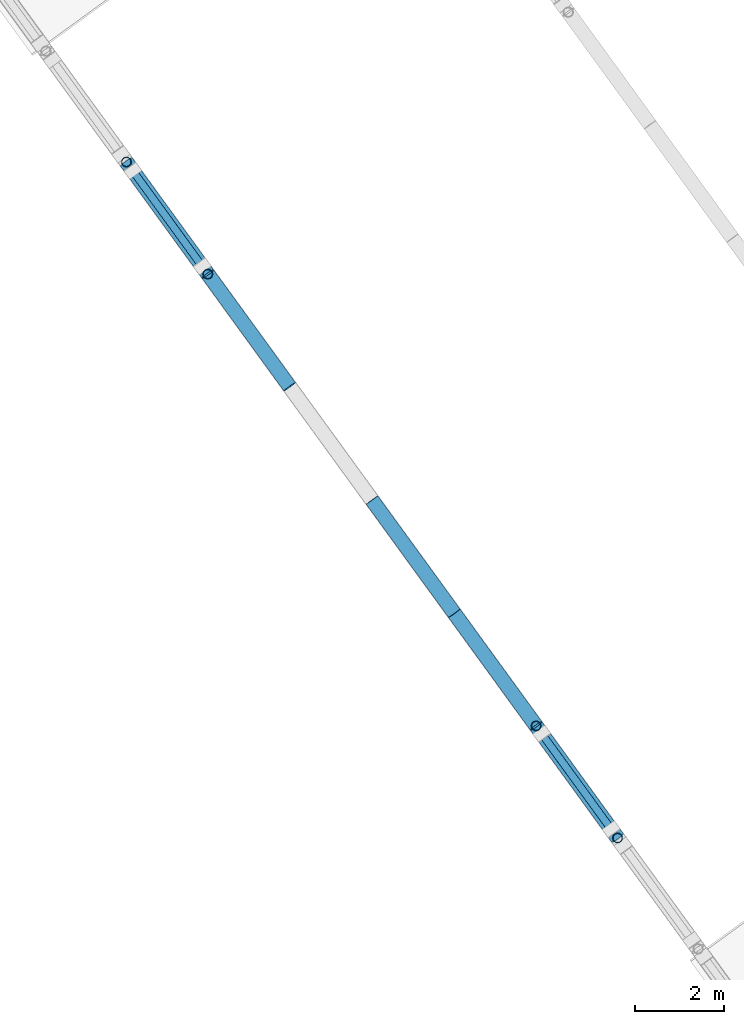
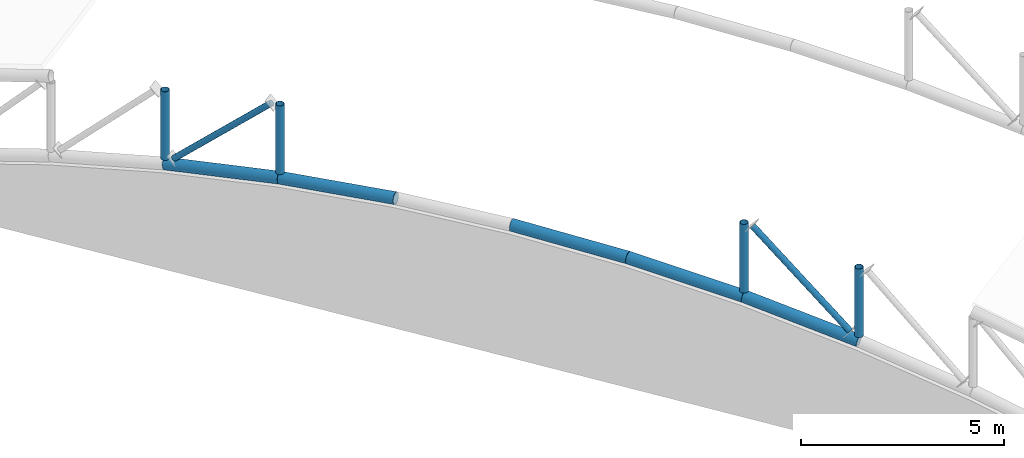
# One storey, part 15 of 69: 11 members.
"""IFC4 building model written with IfcOpenShell, lengths in metres."""

from ifc_helpers import new_model, si_unit, direction, frame, origin, origin_2d, place, context, subcontext, project, spatial, hollow_circle, extrude, material, material_profile, profile_set, type_object, element, save


model = new_model("IFC4")

# Units and contexts
model_context = context("Model", 3, precision=1e-05, world=origin(), true_north=direction((0.0, 1.0)))
body_context = subcontext(model_context, "Body", "Model", "MODEL_VIEW")
ifc_project = project(units=[si_unit("LENGTHUNIT", "METRE"), si_unit("AREAUNIT", "SQUARE_METRE"), si_unit("VOLUMEUNIT", "CUBIC_METRE"), si_unit("PLANEANGLEUNIT", "RADIAN"), si_unit("MASSUNIT", "GRAM", prefix="KILO")], contexts=[model_context])

# Site, building, storey
site_placement = place(None, origin())
site = spatial("IfcSite", under=ifc_project, at=site_placement, CompositionType="ELEMENT")
building_placement = place(site_placement, origin())
building = spatial("IfcBuilding", under=site, at=building_placement, Name="Okhra Congress Centre", CompositionType="ELEMENT")
storey_placement = place(building_placement, frame((0.0, 0.0, 16.800048828125)))
storey = spatial("IfcBuildingStorey", under=building, at=storey_placement, Name="L03", CompositionType="ELEMENT", Elevation=16.800048828125)

# Members
ifc_material = material(Name="Steel S355J2H", Category="steel")
ifc_material_profile_1 = material_profile(ifc_material, hollow_circle(Radius=0.084228515625, WallThickness=0.00634765625, at=origin_2d()), Name="CHS 168.3x6.3")
ifc_profile_set_1 = profile_set([ifc_material_profile_1], Name="Steel S355J2H")
member_type_1 = type_object("IfcMemberType", Name="CHS 168.3x6.3", PredefinedType="BRACE", material=ifc_profile_set_1)
for number, where, z_axis, x_axis, name in (
    (1, (219.307373046875, 170.5654296875, 3.290283203125), (-0.432852970134, 0.595735556437, 0.676562970494), (-0.80900036382, -0.587808141607, 0.0), "Truss 1 diagonal 7"),
    (2, (208.5732421875, 185.33935546875, 3.290283203125), (0.432835381478, -0.595779555186, 0.676535478865), (0.809032364404, 0.587764096681, 0.0), "Truss 1 diagonal 12"),
):
    element("IfcMember", number, at=place(storey_placement, frame(where, z_axis=z_axis, x_axis=x_axis)), inside=storey, type_object=member_type_1, Name=name, PredefinedType="BRACE", context=body_context, shape_type="SweptSolid", body=[
        extrude(hollow_circle(Radius=0.084228515625, WallThickness=0.00634765625, at=origin_2d()), origin(), (0.0, 0.0, 1.0), 3.579345703125),
    ])
ifc_material_profile_2 = material_profile(ifc_material, hollow_circle(Radius=0.109619140625, WallThickness=0.008056640625, at=origin_2d()), Name="CHS 219.1x8")
ifc_profile_set_2 = profile_set([ifc_material_profile_2], Name="Steel S355J2H")
member_type_2 = type_object("IfcMemberType", Name="CHS 219.1x8", PredefinedType="POST", material=ifc_profile_set_2)
member_1_placement = place(storey_placement, frame((219.451904296875, 170.3662109375, 3.230712890625), z_axis=(0.0, 0.0, 1.0), x_axis=(1.0, 0.0, 0.0)))
element("IfcMember", 3, at=member_1_placement, inside=storey, type_object=member_type_2, Name="Truss 1 post 6", PredefinedType="POST", context=body_context, shape_type="SweptSolid", body=[
    extrude(hollow_circle(Radius=0.109619140625, WallThickness=0.008056640625, at=origin_2d()), origin(), (0.0, 0.0, 1.0), 2.067138671875),
])
for number, where, z_axis, x_axis, name in (
    (4, (217.625244140625, 172.880615234375, 3.6845703125), (0.0, 0.0, 1.0), (1.0, 0.0, 0.0), "Truss 1 post 7"),
    (5, (210.25537109375, 183.024169921875, 3.6845703125), (0.0, 0.0, 1.0), (1.0, 0.0, 0.0), "Truss 1 post 11"),
):
    element("IfcMember", number, at=place(storey_placement, frame(where, z_axis=z_axis, x_axis=x_axis)), inside=storey, type_object=member_type_2, Name=name, PredefinedType="POST", context=body_context, shape_type="SweptSolid", body=[
        extrude(hollow_circle(Radius=0.109619140625, WallThickness=0.008056640625, at=origin_2d()), origin(), (0.0, 0.0, 1.0), 2.06982421875),
    ])
member_2_placement = place(storey_placement, frame((208.4287109375, 185.53857421875, 3.230712890625), z_axis=(0.0, 0.0, 1.0), x_axis=(1.0, 0.0, 0.0)))
element("IfcMember", 6, at=member_2_placement, inside=storey, type_object=member_type_2, Name="Truss 1 post 12", PredefinedType="POST", context=body_context, shape_type="SweptSolid", body=[
    extrude(hollow_circle(Radius=0.109619140625, WallThickness=0.008056640625, at=origin_2d()), origin(), (0.0, 0.0, 1.0), 2.067138671875),
])
ifc_material_profile_3 = material_profile(ifc_material, hollow_circle(Radius=0.161865234375, WallThickness=0.012451171875, at=origin_2d()), Name="CHS 323.9x12.5")
ifc_profile_set_3 = profile_set([ifc_material_profile_3], Name="Steel S355J2H")
member_type_3 = type_object("IfcMemberType", Name="CHS 323.9x12.5", PredefinedType="CHORD", material=ifc_profile_set_3)
for number, where, z_axis, x_axis, name in (
    (7, (219.451904296875, 170.3662109375, 3.064208984375), (-0.581543271945, 0.800496412425, 0.144958326942), (-0.809041704036, -0.587751240858, 0.0), "Truss 1 bottom chord 7"),
    (8, (217.625244140625, 172.880615234375, 3.51953125), (-0.585574378555, 0.805922581794, 0.087128866254), (-0.808999165888, -0.587809790317, 0.0), "Truss 1 bottom chord 8"),
):
    element("IfcMember", number, at=place(storey_placement, frame(where, z_axis=z_axis, x_axis=x_axis)), inside=storey, type_object=member_type_3, Name=name, PredefinedType="CHORD", context=body_context, shape_type="SweptSolid", body=[
        extrude(hollow_circle(Radius=0.161865234375, WallThickness=0.012451171875, at=origin_2d()), origin(), (0.0, 0.0, 1.0), 3.14111328125),
    ])
for number, where, z_axis, x_axis, name in (
    (9, (215.785888671875, 175.412109375, 3.793212890625), (-0.587553427849, 0.808663150366, 0.029066796563), (-0.809004978104, -0.587801790915, 0.0), "Truss 1 bottom chord 9"),
    (10, (212.0947265625, 180.492431640625, 3.793212890625), (-0.58553770002, 0.805949820707, -0.087123408777), (-0.809026121159, -0.587772690146, 0.0), "Truss 1 bottom chord 11"),
):
    element("IfcMember", number, at=place(storey_placement, frame(where, z_axis=z_axis, x_axis=x_axis)), inside=storey, type_object=member_type_3, Name=name, PredefinedType="CHORD", context=body_context, shape_type="SweptSolid", body=[
        extrude(hollow_circle(Radius=0.161865234375, WallThickness=0.012451171875, at=origin_2d()), origin(), (0.0, 0.0, 1.0), 3.141357421875),
    ])
member_3_placement = place(storey_placement, frame((210.25537109375, 183.024169921875, 3.51953125), z_axis=(-0.581543271945, 0.800496412425, -0.144958326942), x_axis=(-0.809041704036, -0.587751240858, 0.0)))
element("IfcMember", 11, at=member_3_placement, inside=storey, type_object=member_type_3, Name="Truss 1 bottom chord 12", PredefinedType="CHORD", context=body_context, shape_type="SweptSolid", body=[
    extrude(hollow_circle(Radius=0.161865234375, WallThickness=0.012451171875, at=origin_2d()), origin(), (0.0, 0.0, 1.0), 3.14111328125),
])

save(model, "model.ifc")
